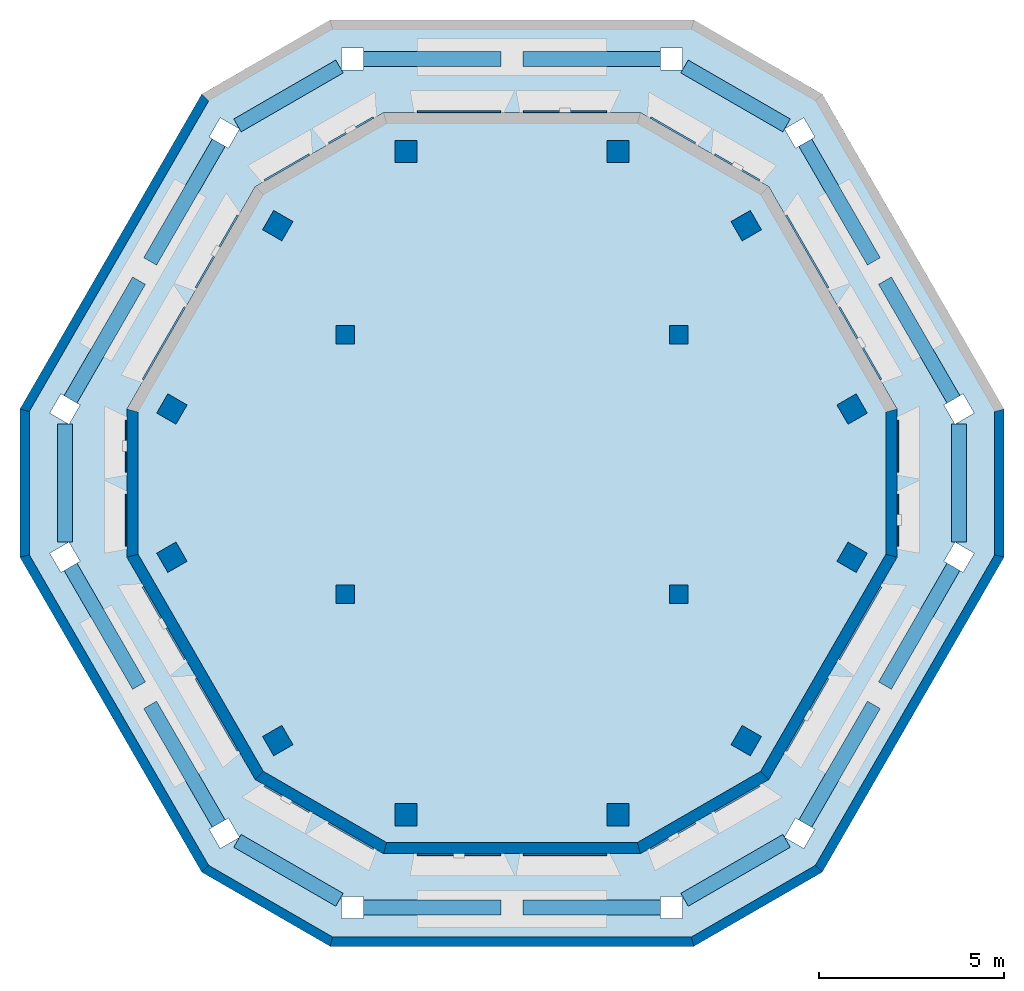
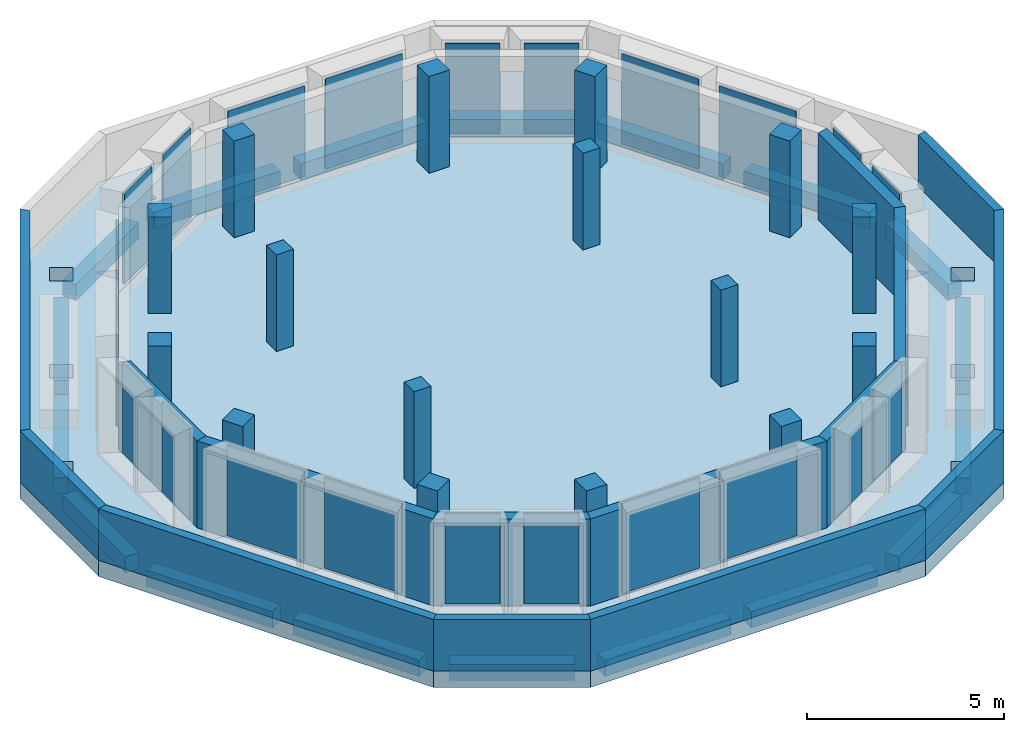
# One storey, part 1 of 4: 24 plates, 18 beams, 16 columns, 15 walls, 2 slabs.
"""IFC4 building model written with IfcOpenShell, lengths in metres."""

from ifc_helpers import new_model, si_unit, direction, frame, origin, origin_2d, place, context, subcontext, project, spatial, polyline, rectangle, outline, extrude, source, transform, mapped, material, layer, layer_set, material_profile, profile_set, type_object, type_shapes, element, save


model = new_model("IFC4")

# Units and contexts
model_context = context("Model", 3, precision=1e-05, world=origin(), true_north=direction((0.0, 1.0)))
body_context = subcontext(model_context, "Body", "Model", "MODEL_VIEW")
ifc_project = project(units=[si_unit("LENGTHUNIT", "METRE"), si_unit("AREAUNIT", "SQUARE_METRE"), si_unit("VOLUMEUNIT", "CUBIC_METRE"), si_unit("PLANEANGLEUNIT", "RADIAN"), si_unit("MASSUNIT", "GRAM", prefix="KILO")], contexts=[model_context])

# Site, building, storey
site_placement = place(None, origin())
site = spatial("IfcSite", under=ifc_project, at=site_placement, CompositionType="ELEMENT")
building_placement = place(site_placement, origin())
building = spatial("IfcBuilding", under=site, at=building_placement, Name="Beryl Residences", CompositionType="ELEMENT")
storey_placement = place(building_placement, frame((0.0, 0.0, 256.800048828125)))
storey = spatial("IfcBuildingStorey", under=building, at=storey_placement, Name="L80", CompositionType="ELEMENT", Elevation=256.800048828125)

# Columns
ifc_material_1 = material(Name="Concrete C50/60", Category="concrete")
ifc_material_profile_1 = material_profile(ifc_material_1, rectangle(XDim=0.60009765625, YDim=0.60009765625, at=origin_2d()))
ifc_profile_set_1 = profile_set([ifc_material_profile_1], Name="Concrete C50/60")
column_type_1 = type_object("IfcColumnType", Name="C6 tube column 600 x 600 C50/60", PredefinedType="COLUMN", material=ifc_profile_set_1)
for number, where, z_axis, x_axis, name in (
    (1, (2.85888671875, 8.949951171875, 0.0), (0.0, 0.0, 1.0), (-1.0, 0.0, 0.0), "C6-N1 L80"),
    (2, (-2.85888671875, 8.949951171875, 0.0), (0.0, 0.0, 1.0), (-1.0, 0.0, 0.0), "C6-N2 L80"),
    (3, (-6.322021484375, 6.949951171875, 0.0), (0.0, 0.0, 1.0), (-0.499969769706, -0.866042856549, 0.0), "C6-NW1 L80"),
    (4, (-9.178955078125, 2.0009765625, 0.0), (0.0, 0.0, 1.0), (-0.499969769706, -0.866042856549, 0.0), "C6-NW2 L80"),
    (5, (-9.179931640625, -2.0, 0.0), (0.0, 0.0, 1.0), (0.499969769706, -0.866042856549, 0.0), "C6-SW1 L80"),
    (6, (-6.322021484375, -6.948974609375, 0.0), (0.0, 0.0, 1.0), (0.499969769706, -0.866042856549, 0.0), "C6-SW2 L80"),
    (7, (-2.85888671875, -8.949951171875, 0.0), (0.0, 0.0, 1.0), (1.0, 0.0, 0.0), "C6-S1 L80"),
    (8, (2.85888671875, -8.949951171875, 0.0), (0.0, 0.0, 1.0), (1.0, 0.0, 0.0), "C6-S2 L80"),
    (9, (6.322021484375, -6.949951171875, 0.0), (0.0, 0.0, 1.0), (0.499969769706, 0.866042856549, 0.0), "C6-SE1 L80"),
    (10, (9.178955078125, -2.0009765625, 0.0), (0.0, 0.0, 1.0), (0.499969769706, 0.866042856549, 0.0), "C6-SE2 L80"),
    (11, (9.179931640625, 2.0, 0.0), (0.0, 0.0, 1.0), (-0.499969769706, 0.866042856549, 0.0), "C6-NE1 L80"),
    (12, (6.322021484375, 6.948974609375, 0.0), (0.0, 0.0, 1.0), (-0.499969769706, 0.866042856549, 0.0), "C6-NE2 L80"),
):
    element("IfcColumn", number, at=place(storey_placement, frame(where, z_axis=z_axis, x_axis=x_axis)), inside=storey, type_object=column_type_1, Name=name, PredefinedType="COLUMN", context=body_context, shape_type="SweptSolid", body=[
        extrude(rectangle(XDim=0.60009765625, YDim=0.60009765625, at=origin_2d()), origin(), (0.0, 0.0, 1.0), 3.0),
    ])
ifc_material_2 = material(Name="Concrete C50/60", Category="concrete")
ifc_material_profile_2 = material_profile(ifc_material_2, rectangle(XDim=0.5, YDim=0.5, at=origin_2d()))
ifc_profile_set_2 = profile_set([ifc_material_profile_2], Name="Concrete C50/60")
column_type_2 = type_object("IfcColumnType", Name="IC6 interior column 500 x 500 C50/60", PredefinedType="COLUMN", material=ifc_profile_set_2)
for number, where, z_axis, x_axis, name in (
    (13, (-4.5, 4.0, 0.0), (0.0, 0.0, 1.0), (1.0, 0.0, 0.0), "IC6-K1 L80"),
    (14, (4.5, 4.0, 0.0), (0.0, 0.0, 1.0), (1.0, 0.0, 0.0), "IC6-K2 L80"),
    (15, (-4.5, -3.0, 0.0), (0.0, 0.0, 1.0), (1.0, 0.0, 0.0), "IC6-K3 L80"),
    (16, (4.5, -3.0, 0.0), (0.0, 0.0, 1.0), (1.0, 0.0, 0.0), "IC6-K4 L80"),
):
    element("IfcColumn", number, at=place(storey_placement, frame(where, z_axis=z_axis, x_axis=x_axis)), inside=storey, type_object=column_type_2, Name=name, PredefinedType="COLUMN", context=body_context, shape_type="SweptSolid", body=[
        extrude(rectangle(XDim=0.5, YDim=0.5, at=origin_2d()), origin(), (0.0, 0.0, 1.0), 3.0),
    ])

# Beams
ifc_material_3 = material(Name="Concrete C50/60", Category="concrete")
ifc_material_profile_3 = material_profile(ifc_material_3, rectangle(XDim=0.39990234375, YDim=0.5, at=origin_2d()))
ifc_profile_set_3 = profile_set([ifc_material_profile_3], Name="Concrete C50/60")
beam_type = type_object("IfcBeamType", Name="SB6 spandrel beam 400 x 500 C50/60", PredefinedType="SPANDREL", material=ifc_profile_set_3)
for number, where, z_axis, x_axis, name in (
    (17, (4.001953125, 11.449951171875, -0.75), (-1.0, 0.0, 0.0), (0.0, -1.0, 0.0), "SB6 L80 N-0"),
    (18, (-0.300048828125, 11.449951171875, -0.75), (-1.0, 0.0, 0.0), (0.0, -1.0, 0.0), "SB6 L80 N-1"),
):
    element("IfcBeam", number, at=place(storey_placement, frame(where, z_axis=z_axis, x_axis=x_axis)), inside=storey, type_object=beam_type, Name=name, PredefinedType="SPANDREL", context=body_context, shape_type="SweptSolid", body=[
        extrude(rectangle(XDim=0.39990234375, YDim=0.5, at=origin_2d()), origin(), (0.0, 0.0, 1.0), 3.701904296875),
    ])
beam_1_placement = place(storey_placement, frame((-4.656982421875, 11.2451171875, -0.75), z_axis=(-0.865932335048, -0.500161165144, 0.0), x_axis=(0.500161165144, -0.865932335048, 0.0)))
element("IfcBeam", 19, at=beam_1_placement, inside=storey, type_object=beam_type, Name="SB6 L80 N-2", PredefinedType="SPANDREL", context=body_context, shape_type="SweptSolid", body=[
    extrude(rectangle(XDim=0.39990234375, YDim=0.5, at=origin_2d()), origin(), (0.0, 0.0, 1.0), 3.17919921875),
])
beam_2_placement = place(storey_placement, frame((-7.9150390625, 9.18994140625, -0.75), z_axis=(-0.500154501804, -0.865936183749, 0.0), x_axis=(0.865936183749, -0.500154501804, 0.0)))
element("IfcBeam", 20, at=beam_2_placement, inside=storey, type_object=beam_type, Name="SB6 L80 NW-0", PredefinedType="SPANDREL", context=body_context, shape_type="SweptSolid", body=[
    extrude(rectangle(XDim=0.39990234375, YDim=0.5, at=origin_2d()), origin(), (0.0, 0.0, 1.0), 3.700927734375),
])
beam_3_placement = place(storey_placement, frame((-10.06591796875, 5.465087890625, -0.75), z_axis=(-0.499928040405, -0.86606694569, 0.0), x_axis=(0.86606694569, -0.499928040405, 0.0)))
element("IfcBeam", 21, at=beam_3_placement, inside=storey, type_object=beam_type, Name="SB6 L80 NW-1", PredefinedType="SPANDREL", context=body_context, shape_type="SweptSolid", body=[
    extrude(rectangle(XDim=0.39990234375, YDim=0.5, at=origin_2d()), origin(), (0.0, 0.0, 1.0), 3.70068359375),
])
beam_4_placement = place(storey_placement, frame((-12.06591796875, 1.590087890625, -0.75), z_axis=(0.0, -1.0, 0.0), x_axis=(1.0, 0.0, 0.0)))
element("IfcBeam", 22, at=beam_4_placement, inside=storey, type_object=beam_type, Name="SB6 L80 NW-2", PredefinedType="SPANDREL", context=body_context, shape_type="SweptSolid", body=[
    extrude(rectangle(XDim=0.39990234375, YDim=0.5, at=origin_2d()), origin(), (0.0, 0.0, 1.0), 3.18017578125),
])
beam_5_placement = place(storey_placement, frame((-11.916015625, -2.260009765625, -0.75), z_axis=(0.499928040405, -0.86606694569, 0.0), x_axis=(0.86606694569, 0.499928040405, 0.0)))
element("IfcBeam", 23, at=beam_5_placement, inside=storey, type_object=beam_type, Name="SB6 L80 SW-0", PredefinedType="SPANDREL", context=body_context, shape_type="SweptSolid", body=[
    extrude(rectangle(XDim=0.39990234375, YDim=0.5, at=origin_2d()), origin(), (0.0, 0.0, 1.0), 3.70068359375),
])
beam_6_placement = place(storey_placement, frame((-9.76611328125, -5.985107421875, -0.75), z_axis=(0.500154501804, -0.865936183749, 0.0), x_axis=(0.865936183749, 0.500154501804, 0.0)))
element("IfcBeam", 24, at=beam_6_placement, inside=storey, type_object=beam_type, Name="SB6 L80 SW-1", PredefinedType="SPANDREL", context=body_context, shape_type="SweptSolid", body=[
    extrude(rectangle(XDim=0.39990234375, YDim=0.5, at=origin_2d()), origin(), (0.0, 0.0, 1.0), 3.700927734375),
])
beam_7_placement = place(storey_placement, frame((-7.409912109375, -9.655029296875, -0.75), z_axis=(0.865932335048, -0.500161165144, 0.0), x_axis=(0.500161165144, 0.865932335048, 0.0)))
element("IfcBeam", 25, at=beam_7_placement, inside=storey, type_object=beam_type, Name="SB6 L80 SW-2", PredefinedType="SPANDREL", context=body_context, shape_type="SweptSolid", body=[
    extrude(rectangle(XDim=0.39990234375, YDim=0.5, at=origin_2d()), origin(), (0.0, 0.0, 1.0), 3.17919921875),
])
for number, where, z_axis, x_axis, name in (
    (26, (-4.001953125, -11.449951171875, -0.75), (1.0, 0.0, 0.0), (0.0, 1.0, 0.0), "SB6 L80 S-0"),
    (27, (0.300048828125, -11.449951171875, -0.75), (1.0, 0.0, 0.0), (0.0, 1.0, 0.0), "SB6 L80 S-1"),
):
    element("IfcBeam", number, at=place(storey_placement, frame(where, z_axis=z_axis, x_axis=x_axis)), inside=storey, type_object=beam_type, Name=name, PredefinedType="SPANDREL", context=body_context, shape_type="SweptSolid", body=[
        extrude(rectangle(XDim=0.39990234375, YDim=0.5, at=origin_2d()), origin(), (0.0, 0.0, 1.0), 3.701904296875),
    ])
beam_8_placement = place(storey_placement, frame((4.656982421875, -11.2451171875, -0.75), z_axis=(0.865932335048, 0.500161165144, 0.0), x_axis=(-0.500161165144, 0.865932335048, 0.0)))
element("IfcBeam", 28, at=beam_8_placement, inside=storey, type_object=beam_type, Name="SB6 L80 S-2", PredefinedType="SPANDREL", context=body_context, shape_type="SweptSolid", body=[
    extrude(rectangle(XDim=0.39990234375, YDim=0.5, at=origin_2d()), origin(), (0.0, 0.0, 1.0), 3.17919921875),
])
beam_9_placement = place(storey_placement, frame((7.9150390625, -9.18994140625, -0.75), z_axis=(0.500154501804, 0.865936183749, 0.0), x_axis=(-0.865936183749, 0.500154501804, 0.0)))
element("IfcBeam", 29, at=beam_9_placement, inside=storey, type_object=beam_type, Name="SB6 L80 SE-0", PredefinedType="SPANDREL", context=body_context, shape_type="SweptSolid", body=[
    extrude(rectangle(XDim=0.39990234375, YDim=0.5, at=origin_2d()), origin(), (0.0, 0.0, 1.0), 3.700927734375),
])
beam_10_placement = place(storey_placement, frame((10.06591796875, -5.465087890625, -0.75), z_axis=(0.499928040405, 0.86606694569, 0.0), x_axis=(-0.86606694569, 0.499928040405, 0.0)))
element("IfcBeam", 30, at=beam_10_placement, inside=storey, type_object=beam_type, Name="SB6 L80 SE-1", PredefinedType="SPANDREL", context=body_context, shape_type="SweptSolid", body=[
    extrude(rectangle(XDim=0.39990234375, YDim=0.5, at=origin_2d()), origin(), (0.0, 0.0, 1.0), 3.70068359375),
])
beam_11_placement = place(storey_placement, frame((12.06591796875, -1.590087890625, -0.75), z_axis=(0.0, 1.0, 0.0), x_axis=(-1.0, 0.0, 0.0)))
element("IfcBeam", 31, at=beam_11_placement, inside=storey, type_object=beam_type, Name="SB6 L80 SE-2", PredefinedType="SPANDREL", context=body_context, shape_type="SweptSolid", body=[
    extrude(rectangle(XDim=0.39990234375, YDim=0.5, at=origin_2d()), origin(), (0.0, 0.0, 1.0), 3.18017578125),
])
beam_12_placement = place(storey_placement, frame((11.916015625, 2.260009765625, -0.75), z_axis=(-0.499928040405, 0.86606694569, 0.0), x_axis=(-0.86606694569, -0.499928040405, 0.0)))
element("IfcBeam", 32, at=beam_12_placement, inside=storey, type_object=beam_type, Name="SB6 L80 NE-0", PredefinedType="SPANDREL", context=body_context, shape_type="SweptSolid", body=[
    extrude(rectangle(XDim=0.39990234375, YDim=0.5, at=origin_2d()), origin(), (0.0, 0.0, 1.0), 3.70068359375),
])
beam_13_placement = place(storey_placement, frame((9.76611328125, 5.985107421875, -0.75), z_axis=(-0.500154501804, 0.865936183749, 0.0), x_axis=(-0.865936183749, -0.500154501804, 0.0)))
element("IfcBeam", 33, at=beam_13_placement, inside=storey, type_object=beam_type, Name="SB6 L80 NE-1", PredefinedType="SPANDREL", context=body_context, shape_type="SweptSolid", body=[
    extrude(rectangle(XDim=0.39990234375, YDim=0.5, at=origin_2d()), origin(), (0.0, 0.0, 1.0), 3.700927734375),
])
beam_14_placement = place(storey_placement, frame((7.409912109375, 9.655029296875, -0.75), z_axis=(-0.865932335048, 0.500161165144, 0.0), x_axis=(-0.500161165144, -0.865932335048, 0.0)))
element("IfcBeam", 34, at=beam_14_placement, inside=storey, type_object=beam_type, Name="SB6 L80 NE-2", PredefinedType="SPANDREL", context=body_context, shape_type="SweptSolid", body=[
    extrude(rectangle(XDim=0.39990234375, YDim=0.5, at=origin_2d()), origin(), (0.0, 0.0, 1.0), 3.17919921875),
])

# Plates
ifc_material_4 = material(Name="Aluminium louvres", Category="aluminium")
ifc_layer_1 = layer(ifc_material_4, 0.050048828125)
ifc_layer_set_1 = layer_set([ifc_layer_1], Name="LV140 louvre panel 1400 x 2800 mm")
plate_type_1 = type_object("IfcPlateType", Name="LV140 louvre panel 1400 x 2800 mm", PredefinedType="SHEET", material=ifc_layer_set_1)
shared_shape_1 = source(origin(), body_context, "Body", "SweptSolid", [
    extrude(outline(polyline([(-0.699951171875, 0.0), (0.699951171875, 0.0), (0.699951171875, 0.050048828125), (-0.699951171875, 0.050048828125), (-0.699951171875, 0.0)])), origin(), (0.0, 0.0, 1.0), 2.800048828125),
])
type_shapes(plate_type_1, [shared_shape_1])
for number, where, z_axis, x_axis, name in (
    (35, (-4.3310546875, 9.5, 0.099853515625), (0.0, 0.0, 1.0), (0.866025403784, 0.5, 0.0), "LV140 louvre cell L80 N-NW 1"),
    (36, (-6.06298828125, 8.5, 0.099853515625), (0.0, 0.0, 1.0), (0.866025403784, 0.5, 0.0), "LV140 louvre cell L80 N-NW 2"),
    (37, (-10.39208984375, 1.0, 0.099853515625), (0.0, 0.0, 1.0), (0.0, 1.0, 0.0), "LV140 louvre cell L80 NW-SW 1"),
    (38, (-10.39208984375, -1.0, 0.099853515625), (0.0, 0.0, 1.0), (0.0, 1.0, 0.0), "LV140 louvre cell L80 NW-SW 2"),
    (39, (-6.06298828125, -8.5, 0.099853515625), (0.0, 0.0, 1.0), (-0.866025403784, 0.5, 0.0), "LV140 louvre cell L80 SW-S 1"),
    (40, (-4.3310546875, -9.5, 0.099853515625), (0.0, 0.0, 1.0), (-0.866025403784, 0.5, 0.0), "LV140 louvre cell L80 SW-S 2"),
    (41, (4.3310546875, -9.5, 0.099853515625), (0.0, 0.0, 1.0), (-0.866025403784, -0.5, 0.0), "LV140 louvre cell L80 S-SE 1"),
    (42, (6.06298828125, -8.5, 0.099853515625), (0.0, 0.0, 1.0), (-0.866025403784, -0.5, 0.0), "LV140 louvre cell L80 S-SE 2"),
    (43, (10.39208984375, -1.0, 0.099853515625), (0.0, 0.0, 1.0), (0.0, -1.0, 0.0), "LV140 louvre cell L80 SE-NE 1"),
    (44, (10.39208984375, 1.0, 0.099853515625), (0.0, 0.0, 1.0), (0.0, -1.0, 0.0), "LV140 louvre cell L80 SE-NE 2"),
    (45, (6.06298828125, 8.5, 0.099853515625), (0.0, 0.0, 1.0), (0.866025403784, -0.5, 0.0), "LV140 louvre cell L80 NE-N 1"),
    (46, (4.3310546875, 9.5, 0.099853515625), (0.0, 0.0, 1.0), (0.866025403784, -0.5, 0.0), "LV140 louvre cell L80 NE-N 2"),
):
    element("IfcPlate", number, at=place(storey_placement, frame(where, z_axis=z_axis, x_axis=x_axis)), inside=storey, type_object=plate_type_1, Name=name, PredefinedType="SHEET", context=body_context, shape_type="MappedRepresentation", body=[
        mapped(shared_shape_1, transform((0.0, 0.0, 0.0))),
    ])
ifc_material_5 = material(Name="Aluminium louvres", Category="aluminium")
ifc_layer_2 = layer(ifc_material_5, 0.050048828125)
ifc_layer_set_2 = layer_set([ifc_layer_2], Name="LV226 louvre panel 2260 x 2800 mm")
plate_type_2 = type_object("IfcPlateType", Name="LV226 louvre panel 2260 x 2800 mm", PredefinedType="SHEET", material=ifc_layer_set_2)
shared_shape_2 = source(origin(), body_context, "Body", "SweptSolid", [
    extrude(outline(polyline([(-1.1298828125, 0.0), (1.1298828125, 0.0), (1.1298828125, 0.050048828125), (-1.1298828125, 0.050048828125), (-1.1298828125, 0.0)])), origin(), (0.0, 0.0, 1.0), 2.800048828125),
])
type_shapes(plate_type_2, [shared_shape_2])
for number, where, z_axis, x_axis, name in (
    (47, (1.428955078125, 10.0, 0.099853515625), (0.0, 0.0, 1.0), (1.0, 0.0, 0.0), "LV226 louvre cell L80 N 1"),
    (48, (-1.428955078125, 10.0, 0.099853515625), (0.0, 0.0, 1.0), (1.0, 0.0, 0.0), "LV226 louvre cell L80 N 2"),
    (49, (-7.945068359375, 6.238037109375, 0.099853515625), (0.0, 0.0, 1.0), (0.5, 0.866025403784, 0.0), "LV226 louvre cell L80 NW 1"),
    (50, (-9.3740234375, 3.762939453125, 0.099853515625), (0.0, 0.0, 1.0), (0.5, 0.866025403784, 0.0), "LV226 louvre cell L80 NW 2"),
    (51, (-9.375, -3.761962890625, 0.099853515625), (0.0, 0.0, 1.0), (-0.5, 0.866025403784, 0.0), "LV226 louvre cell L80 SW 1"),
    (52, (-7.946044921875, -6.237060546875, 0.099853515625), (0.0, 0.0, 1.0), (-0.5, 0.866025403784, 0.0), "LV226 louvre cell L80 SW 2"),
    (53, (-1.428955078125, -10.0, 0.099853515625), (0.0, 0.0, 1.0), (-1.0, 0.0, 0.0), "LV226 louvre cell L80 S 1"),
    (54, (1.428955078125, -10.0, 0.099853515625), (0.0, 0.0, 1.0), (-1.0, 0.0, 0.0), "LV226 louvre cell L80 S 2"),
    (55, (7.945068359375, -6.238037109375, 0.099853515625), (0.0, 0.0, 1.0), (-0.5, -0.866025403784, 0.0), "LV226 louvre cell L80 SE 1"),
    (56, (9.3740234375, -3.762939453125, 0.099853515625), (0.0, 0.0, 1.0), (-0.5, -0.866025403784, 0.0), "LV226 louvre cell L80 SE 2"),
    (57, (9.375, 3.761962890625, 0.099853515625), (0.0, 0.0, 1.0), (0.5, -0.866025403784, 0.0), "LV226 louvre cell L80 NE 1"),
    (58, (7.946044921875, 6.237060546875, 0.099853515625), (0.0, 0.0, 1.0), (0.5, -0.866025403784, 0.0), "LV226 louvre cell L80 NE 2"),
):
    element("IfcPlate", number, at=place(storey_placement, frame(where, z_axis=z_axis, x_axis=x_axis)), inside=storey, type_object=plate_type_2, Name=name, PredefinedType="SHEET", context=body_context, shape_type="MappedRepresentation", body=[
        mapped(shared_shape_2, transform((0.0, 0.0, 0.0))),
    ])

# Slabs
ifc_material_6 = material(Name="Concrete C60/75", Category="concrete")
ifc_layer_3 = layer(ifc_material_6, 0.5)
ifc_layer_set_3 = layer_set([ifc_layer_3], Name="SL15 transfer plate 500 mm C60/75")
slab_type_1 = type_object("IfcSlabType", Name="SL15 transfer plate 500 mm C60/75", PredefinedType="ROOF", material=ifc_layer_set_3)
slab_1_placement = place(storey_placement, frame((0.0, 0.0, -0.5)))
element("IfcSlab", 59, at=slab_1_placement, inside=storey, type_object=slab_type_1, Name="L80 slab 1", PredefinedType="ROOF", context=body_context, shape_type="SweptSolid", body=[
    extrude(outline(polyline([(10.39208984375, 2.0), (10.39208984375, -2.0), (6.928955078125, -8.0), (3.465087890625, -10.0), (-3.465087890625, -10.0), (-6.928955078125, -8.0), (-10.39208984375, -2.0), (-10.39208984375, 2.0), (-6.928955078125, 8.0), (-3.465087890625, 10.0), (3.465087890625, 10.0), (6.928955078125, 8.0), (10.39208984375, 2.0)]), holes=[polyline([(4.75, -2.75), (4.25, -2.75), (4.25, -3.25), (4.75, -3.25), (4.75, -2.75)]), polyline([(4.75, 4.25), (4.25, 4.25), (4.25, 3.75), (4.75, 3.75), (4.75, 4.25)]), polyline([(-4.25, -2.75), (-4.75, -2.75), (-4.75, -3.25), (-4.25, -3.25), (-4.25, -2.75)]), polyline([(-4.25, 4.25), (-4.75, 4.25), (-4.75, 3.75), (-4.25, 3.75), (-4.25, 4.25)])]), origin(), (0.0, 0.0, 1.0), 0.5),
])
ifc_material_7 = material(Name="Concrete C60/75", Category="concrete")
ifc_layer_4 = layer(ifc_material_7, 0.5)
ifc_layer_set_4 = layer_set([ifc_layer_4], Name="SL16 roof strip slab 500 mm C60/75")
slab_type_2 = type_object("IfcSlabType", Name="SL16 roof strip slab 500 mm C60/75", PredefinedType="ROOF", material=ifc_layer_set_4)
slab_2_placement = place(storey_placement, frame((0.0, 0.0, -0.5)))
element("IfcSlab", 60, at=slab_2_placement, inside=storey, type_object=slab_type_2, Name="roof L80 1 1", PredefinedType="ROOF", context=body_context, shape_type="SweptSolid", body=[
    extrude(outline(polyline([(13.279052734375, -2.0), (8.3720703125, -10.5), (4.907958984375, -12.5), (-4.907958984375, -12.5), (-8.3720703125, -10.5), (-13.279052734375, -2.0), (-13.279052734375, 2.0), (-8.3720703125, 10.5), (-4.907958984375, 12.5), (4.907958984375, 12.5), (8.3720703125, 10.5), (13.279052734375, 2.0), (13.279052734375, -2.0)]), holes=[polyline([(11.9560546875, 1.590087890625), (12.47607421875, 1.889892578125), (12.176025390625, 2.409912109375), (11.656005859375, 2.110107421875), (11.9560546875, 1.590087890625)]), polyline([(11.656005859375, -2.110107421875), (12.176025390625, -2.409912109375), (12.47607421875, -1.889892578125), (11.9560546875, -1.590087890625), (11.656005859375, -2.110107421875)]), polyline([(3.465087890625, 10.0009765625), (-3.465087890625, 10.0009765625), (-6.929443359375, 8.0009765625), (-10.392822265625, 2.00048828125), (-10.39306640625, -2.0), (-6.929931640625, -8.00048828125), (-3.465576171875, -10.0009765625), (3.465087890625, -10.0009765625), (6.929443359375, -8.0009765625), (10.392822265625, -2.00048828125), (10.39306640625, 2.0), (6.929931640625, 8.00048828125), (3.465087890625, 10.0009765625)]), polyline([(9.506103515625, -5.8349609375), (10.02587890625, -6.135009765625), (10.325927734375, -5.614990234375), (9.805908203125, -5.31494140625), (9.506103515625, -5.8349609375)]), polyline([(9.805908203125, 5.31494140625), (10.325927734375, 5.614990234375), (10.02587890625, 6.135009765625), (9.506103515625, 5.8349609375), (9.805908203125, 5.31494140625)]), polyline([(7.655029296875, 9.0400390625), (8.175048828125, 9.340087890625), (7.875, 9.860107421875), (7.35498046875, 9.56005859375), (7.655029296875, 9.0400390625)]), polyline([(7.875, -9.860107421875), (8.175048828125, -9.340087890625), (7.655029296875, -9.0400390625), (7.35498046875, -9.56005859375), (7.875, -9.860107421875)]), polyline([(4.001953125, -11.75), (4.60205078125, -11.75), (4.60205078125, -11.14990234375), (4.001953125, -11.14990234375), (4.001953125, -11.75)]), polyline([(4.001953125, 11.14990234375), (4.60205078125, 11.14990234375), (4.60205078125, 11.75), (4.001953125, 11.75), (4.001953125, 11.14990234375)]), polyline([(-0.300048828125, -11.75), (0.300048828125, -11.75), (0.300048828125, -11.14990234375), (-0.300048828125, -11.14990234375), (-0.300048828125, -11.75)]), polyline([(-0.300048828125, 11.14990234375), (0.300048828125, 11.14990234375), (0.300048828125, 11.75), (-0.300048828125, 11.75), (-0.300048828125, 11.14990234375)]), polyline([(-4.60205078125, -11.75), (-4.001953125, -11.75), (-4.001953125, -11.14990234375), (-4.60205078125, -11.14990234375), (-4.60205078125, -11.75)]), polyline([(-4.60205078125, 11.14990234375), (-4.001953125, 11.14990234375), (-4.001953125, 11.75), (-4.60205078125, 11.75), (-4.60205078125, 11.14990234375)]), polyline([(-8.175048828125, -9.340087890625), (-7.875, -9.860107421875), (-7.35498046875, -9.56005859375), (-7.655029296875, -9.0400390625), (-8.175048828125, -9.340087890625)]), polyline([(-7.35498046875, 9.56005859375), (-7.875, 9.860107421875), (-8.175048828125, 9.340087890625), (-7.655029296875, 9.0400390625), (-7.35498046875, 9.56005859375)]), polyline([(-9.506103515625, 5.8349609375), (-10.02587890625, 6.135009765625), (-10.325927734375, 5.614990234375), (-9.805908203125, 5.31494140625), (-9.506103515625, 5.8349609375)]), polyline([(-9.805908203125, -5.31494140625), (-10.325927734375, -5.614990234375), (-10.02587890625, -6.135009765625), (-9.506103515625, -5.8349609375), (-9.805908203125, -5.31494140625)]), polyline([(-11.9560546875, -1.590087890625), (-12.47607421875, -1.889892578125), (-12.176025390625, -2.409912109375), (-11.656005859375, -2.110107421875), (-11.9560546875, -1.590087890625)]), polyline([(-11.656005859375, 2.110107421875), (-12.176025390625, 2.409912109375), (-12.47607421875, 1.889892578125), (-11.9560546875, 1.590087890625), (-11.656005859375, 2.110107421875)])]), origin(), (0.0, 0.0, 1.0), 0.5),
])

# Walls
ifc_material_8 = material(Name="Composite metal panel with mineral wool insulation")
ifc_layer_5 = layer(ifc_material_8, 0.300048828125)
ifc_layer_set_5 = layer_set([ifc_layer_5], Name="ES1 pale metal composite panel wall 300 mm")
wall_type_1 = type_object("IfcWallType", Name="ES1 pale metal composite panel wall 300 mm", PredefinedType="SOLIDWALL", material=ifc_layer_set_5)
wall_1_placement = place(storey_placement, frame((-10.241943359375, 2.0, 0.0), z_axis=(0.0, 0.0, 1.0), x_axis=(0.0, -1.0, 0.0)))
element("IfcWall", 61, at=wall_1_placement, inside=storey, type_object=wall_type_1, Name="ES1 external wall L80 NW-SW", PredefinedType="SOLIDWALL", context=body_context, shape_type="SweptSolid", body=[
    extrude(outline(polyline([(0.0, -0.14990234375), (4.0, -0.14990234375), (3.919677734375, 0.14990234375), (0.080322265625, 0.14990234375), (0.0, -0.14990234375)])), origin(), (0.0, 0.0, 1.0), 2.699951171875),
])
wall_2_placement = place(storey_placement, frame((-10.261962890625, -1.925048828125, 0.0), z_axis=(0.0, 0.0, 1.0), x_axis=(0.499868889286, -0.866101087359, 0.0)))
element("IfcWall", 62, at=wall_2_placement, inside=storey, type_object=wall_type_1, Name="ES1 external wall L80 SW", PredefinedType="SOLIDWALL", context=body_context, shape_type="SweptSolid", body=[
    extrude(outline(polyline([(0.0, -0.14990234375), (6.927490234375, -0.14990234375), (6.84716796875, 0.14990234375), (0.080322265625, 0.14990234375), (0.0, -0.14990234375)])), origin(), (0.0, 0.0, 1.0), 2.699951171875),
])
wall_3_placement = place(storey_placement, frame((-6.85400390625, -7.8701171875, 0.0), z_axis=(0.0, 0.0, 1.0), x_axis=(0.866026010844, -0.49999894854, 0.0)))
element("IfcWall", 63, at=wall_3_placement, inside=storey, type_object=wall_type_1, Name="ES1 external wall L80 SW-S", PredefinedType="SOLIDWALL", context=body_context, shape_type="SweptSolid", body=[
    extrude(outline(polyline([(0.0, -0.14990234375), (4.0, -0.14990234375), (3.919677734375, 0.14990234375), (0.080322265625, 0.14990234375), (0.0, -0.14990234375)])), origin(), (0.0, 0.0, 1.0), 2.699951171875),
])
wall_4_placement = place(storey_placement, frame((-3.465087890625, -9.85009765625, 0.0), z_axis=(0.0, 0.0, 1.0), x_axis=(1.0, 0.0, 0.0)))
element("IfcWall", 64, at=wall_4_placement, inside=storey, type_object=wall_type_1, Name="ES1 external wall L80 S", PredefinedType="SOLIDWALL", context=body_context, shape_type="SweptSolid", body=[
    extrude(outline(polyline([(0.0, -0.14990234375), (6.93017578125, -0.14990234375), (6.849853515625, 0.14990234375), (0.080322265625, 0.14990234375), (0.0, -0.14990234375)])), origin(), (0.0, 0.0, 1.0), 2.699951171875),
])
wall_5_placement = place(storey_placement, frame((3.389892578125, -9.8701171875, 0.0), z_axis=(0.0, 0.0, 1.0), x_axis=(0.866026010844, 0.49999894854, 0.0)))
element("IfcWall", 65, at=wall_5_placement, inside=storey, type_object=wall_type_1, Name="ES1 external wall L80 S-SE", PredefinedType="SOLIDWALL", context=body_context, shape_type="SweptSolid", body=[
    extrude(outline(polyline([(0.0, -0.14990234375), (4.0, -0.14990234375), (3.919677734375, 0.14990234375), (0.080322265625, 0.14990234375), (0.0, -0.14990234375)])), origin(), (0.0, 0.0, 1.0), 2.699951171875),
])
wall_6_placement = place(storey_placement, frame((6.799072265625, -7.925048828125, 0.0), z_axis=(0.0, 0.0, 1.0), x_axis=(0.499868889286, 0.866101087359, 0.0)))
element("IfcWall", 66, at=wall_6_placement, inside=storey, type_object=wall_type_1, Name="ES1 external wall L80 SE", PredefinedType="SOLIDWALL", context=body_context, shape_type="SweptSolid", body=[
    extrude(outline(polyline([(0.0, -0.14990234375), (6.927490234375, -0.14990234375), (6.84716796875, 0.14990234375), (0.080322265625, 0.14990234375), (0.0, -0.14990234375)])), origin(), (0.0, 0.0, 1.0), 2.699951171875),
])
wall_7_placement = place(storey_placement, frame((10.241943359375, -2.0, 0.0), z_axis=(0.0, 0.0, 1.0), x_axis=(0.0, 1.0, 0.0)))
element("IfcWall", 67, at=wall_7_placement, inside=storey, type_object=wall_type_1, Name="ES1 external wall L80 SE-NE", PredefinedType="SOLIDWALL", context=body_context, shape_type="SweptSolid", body=[
    extrude(outline(polyline([(0.0, -0.14990234375), (4.0, -0.14990234375), (3.919677734375, 0.14990234375), (0.080322265625, 0.14990234375), (0.0, -0.14990234375)])), origin(), (0.0, 0.0, 1.0), 2.699951171875),
])
ifc_material_9 = material(Name="Precast concrete C40/50", Category="concrete")
ifc_layer_6 = layer(ifc_material_9, 0.25)
ifc_layer_set_6 = layer_set([ifc_layer_6], Name="PA1 roof parapet 250 mm")
wall_type_2 = type_object("IfcWallType", Name="PA1 roof parapet 250 mm", PredefinedType="PARAPET", material=ifc_layer_set_6)
wall_8_placement = place(storey_placement, frame((13.154052734375, 2.0, 0.0), z_axis=(0.0, 0.0, 1.0), x_axis=(0.0, -1.0, 0.0)))
element("IfcWall", 68, at=wall_8_placement, inside=storey, type_object=wall_type_2, Name="PA1 parapet L80 strip 3", PredefinedType="PARAPET", context=body_context, shape_type="SweptSolid", body=[
    extrude(outline(polyline([(0.06689453125, -0.125), (3.93310546875, -0.125), (4.0, 0.125), (0.0, 0.125), (0.06689453125, -0.125)])), origin(), (0.0, 0.0, 1.0), 1.599853515625),
])
wall_9_placement = place(storey_placement, frame((13.1708984375, -1.93798828125, 0.0), z_axis=(0.0, 0.0, 1.0), x_axis=(-0.500079894777, -0.8659792716, 0.0)))
element("IfcWall", 69, at=wall_9_placement, inside=storey, type_object=wall_type_2, Name="PA1 parapet L80 strip 4", PredefinedType="PARAPET", context=body_context, shape_type="SweptSolid", body=[
    extrude(outline(polyline([(0.06689453125, -0.125), (9.74755859375, -0.125), (9.814453125, 0.125), (0.0, 0.125), (0.06689453125, -0.125)])), origin(), (0.0, 0.0, 1.0), 1.599853515625),
])
wall_10_placement = place(storey_placement, frame((8.30908203125, -10.39111328125, 0.0), z_axis=(0.0, 0.0, 1.0), x_axis=(-0.865859197389, -0.500287767487, 0.0)))
element("IfcWall", 70, at=wall_10_placement, inside=storey, type_object=wall_type_2, Name="PA1 parapet L80 strip 5", PredefinedType="PARAPET", context=body_context, shape_type="SweptSolid", body=[
    extrude(outline(polyline([(0.06689453125, -0.125), (3.9326171875, -0.125), (3.999755859375, 0.125), (0.0, 0.125), (0.06689453125, -0.125)])), origin(), (0.0, 0.0, 1.0), 1.599853515625),
])
wall_11_placement = place(storey_placement, frame((4.908935546875, -12.375, 0.0), z_axis=(0.0, 0.0, 1.0), x_axis=(-1.0, 0.0, 0.0)))
element("IfcWall", 71, at=wall_11_placement, inside=storey, type_object=wall_type_2, Name="PA1 parapet L80 strip 6", PredefinedType="PARAPET", context=body_context, shape_type="SweptSolid", body=[
    extrude(outline(polyline([(0.067138671875, -0.125), (9.750732421875, -0.125), (9.81787109375, 0.125), (0.0, 0.125), (0.067138671875, -0.125)])), origin(), (0.0, 0.0, 1.0), 1.599853515625),
])
wall_12_placement = place(storey_placement, frame((-4.845947265625, -12.39208984375, 0.0), z_axis=(0.0, 0.0, 1.0), x_axis=(-0.865859197389, 0.500287767487, 0.0)))
element("IfcWall", 72, at=wall_12_placement, inside=storey, type_object=wall_type_2, Name="PA1 parapet L80 strip 7", PredefinedType="PARAPET", context=body_context, shape_type="SweptSolid", body=[
    extrude(outline(polyline([(0.067138671875, -0.125), (3.932861328125, -0.125), (3.999755859375, 0.125), (0.0, 0.125), (0.067138671875, -0.125)])), origin(), (0.0, 0.0, 1.0), 1.599853515625),
])
wall_13_placement = place(storey_placement, frame((-8.262939453125, -10.43701171875, 0.0), z_axis=(0.0, 0.0, 1.0), x_axis=(-0.500079894777, 0.8659792716, 0.0)))
element("IfcWall", 73, at=wall_13_placement, inside=storey, type_object=wall_type_2, Name="PA1 parapet L80 strip 8", PredefinedType="PARAPET", context=body_context, shape_type="SweptSolid", body=[
    extrude(outline(polyline([(0.06689453125, -0.125), (9.74755859375, -0.125), (9.814453125, 0.125), (0.0, 0.125), (0.06689453125, -0.125)])), origin(), (0.0, 0.0, 1.0), 1.599853515625),
])
wall_14_placement = place(storey_placement, frame((-13.154052734375, -2.0, 0.0), z_axis=(0.0, 0.0, 1.0), x_axis=(0.0, 1.0, 0.0)))
element("IfcWall", 74, at=wall_14_placement, inside=storey, type_object=wall_type_2, Name="PA1 parapet L80 strip 9", PredefinedType="PARAPET", context=body_context, shape_type="SweptSolid", body=[
    extrude(outline(polyline([(0.06689453125, -0.125), (3.93310546875, -0.125), (4.0, 0.125), (0.0, 0.125), (0.06689453125, -0.125)])), origin(), (0.0, 0.0, 1.0), 1.599853515625),
])
wall_15_placement = place(storey_placement, frame((-13.1708984375, 1.93798828125, 0.0), z_axis=(0.0, 0.0, 1.0), x_axis=(0.500079894777, 0.8659792716, 0.0)))
element("IfcWall", 75, at=wall_15_placement, inside=storey, type_object=wall_type_2, Name="PA1 parapet L80 strip 10", PredefinedType="PARAPET", context=body_context, shape_type="SweptSolid", body=[
    extrude(outline(polyline([(0.06689453125, -0.125), (9.74755859375, -0.125), (9.814453125, 0.125), (0.0, 0.125), (0.06689453125, -0.125)])), origin(), (0.0, 0.0, 1.0), 1.599853515625),
])

save(model, "model.ifc")
